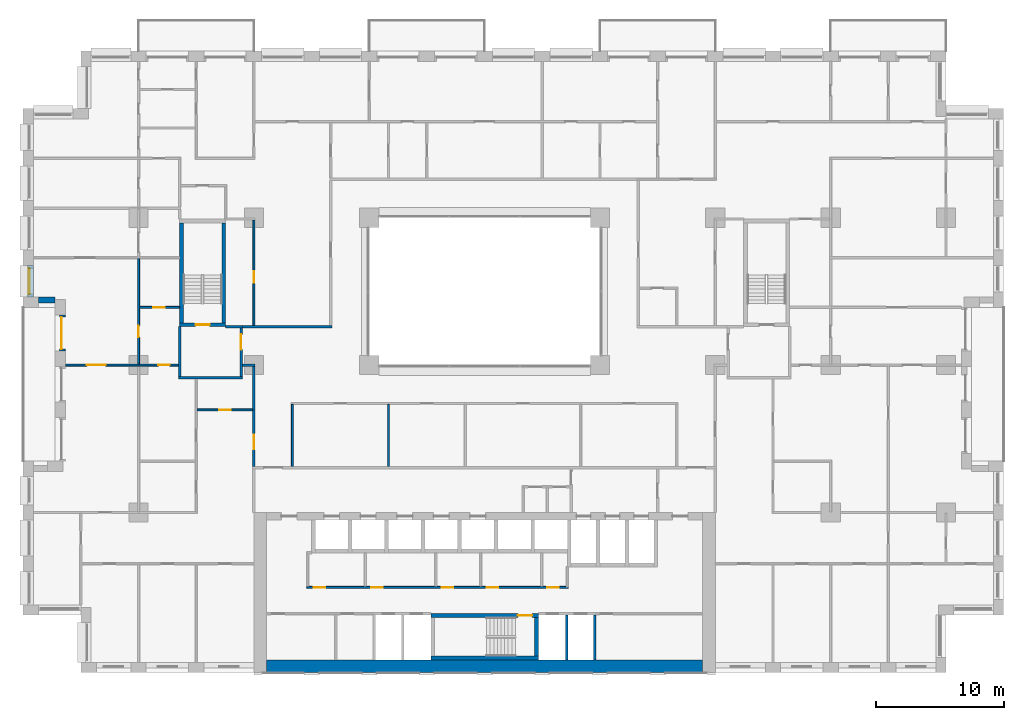
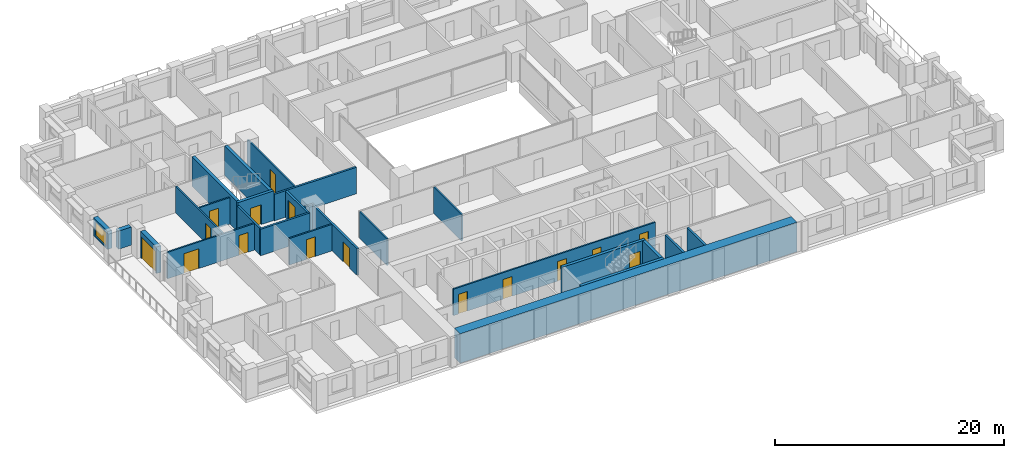
# One storey, part 10 of 19: 27 walls, 16 doors, 1 window, 17 openings.
"""IFC4 building model written with IfcOpenShell, lengths in metres."""

import ifcopenshell
import ifcopenshell.guid

model = None  # the IFC model being written
_history = None  # IfcOwnerHistory: only IFC2X3 demands one
_inside = {}  # id of a spatial element -> (the spatial element, [elements in it])
_under = {}  # id of a project, library or spatial element -> (it, [spatial elements below it])
_declared = {}  # id of a project -> (the project, [libraries it declares])
_typed = {}  # id of a type object -> (the type object, [elements of that type])
_made_of = {}  # id of a material, layer set ... -> (it, [elements and type objects made of it])


def new_model(schema):
    """Start an empty IFC model of exactly this schema.

    Asked for "IFC4X3", IfcOpenShell would pick the latest addendum, in which some entities
    have other attributes; the version numbers below select the first issue.
    IFC2X3 requires an IfcOwnerHistory on every rooted entity: one is made here for all.
    """
    global model, _history
    if schema == "IFC4X3":
        model = ifcopenshell.file(schema_version=(4, 3, 0, 0))
    else:
        model = ifcopenshell.file(schema=schema)
    _inside.clear()
    _under.clear()
    _declared.clear()
    _typed.clear()
    _made_of.clear()
    _history = None
    if model.schema == "IFC2X3":
        org = make("IfcOrganization", Name="unknown")
        user = make(
            "IfcPersonAndOrganization",
            ThePerson=make("IfcPerson", FamilyName="unknown"),
            TheOrganization=org,
        )
        app = make(
            "IfcApplication",
            ApplicationDeveloper=org,
            Version="unknown",
            ApplicationFullName="unknown",
            ApplicationIdentifier="unknown",
        )
        _history = make(
            "IfcOwnerHistory",
            OwningUser=user,
            OwningApplication=app,
            ChangeAction="ADDED",
            CreationDate=0,
        )
    return model


def make(cls, **values):
    """One entity of the class cls with the attributes given. An attribute that is None is left unset."""
    return model.create_entity(
        cls, **{name: value for name, value in values.items() if value is not None}
    )


def rooted(cls, **values):
    """An entity with a GlobalId (a new one), such as an element, a storey or a relation."""
    return make(cls, GlobalId=ifcopenshell.guid.new(), OwnerHistory=_history, **values)


def si_unit(unit_type, name, prefix=None):
    """IfcSIUnit, for example si_unit("LENGTHUNIT", "METRE", prefix="MILLI")."""
    return make("IfcSIUnit", UnitType=unit_type, Prefix=prefix, Name=name)


def assignment(units):
    """IfcUnitAssignment: the units of a project."""
    return None if units is None else make("IfcUnitAssignment", Units=units)


def point(xyz):
    """IfcCartesianPoint."""
    return None if xyz is None else make("IfcCartesianPoint", Coordinates=xyz)


def direction(xyz):
    """IfcDirection."""
    return None if xyz is None else make("IfcDirection", DirectionRatios=xyz)


def frame(location, z_axis=None, x_axis=None):
    """IfcAxis2Placement3D, a coordinate frame: its origin and axes. An axis left out is left unset."""
    return make(
        "IfcAxis2Placement3D",
        Location=point(location),
        Axis=direction(z_axis),
        RefDirection=direction(x_axis),
    )


def frame_2d(location, x_axis=None):
    """IfcAxis2Placement2D, a coordinate frame in the plane: its origin and x axis."""
    return make(
        "IfcAxis2Placement2D", Location=point(location), RefDirection=direction(x_axis)
    )


def origin():
    """The frame at (0, 0, 0) with its axes left unset."""
    return frame((0.0, 0.0, 0.0))


def place(relative_to, where):
    """IfcLocalPlacement: puts the frame where relative to a parent placement (None: the world)."""
    return make(
        "IfcLocalPlacement", PlacementRelTo=relative_to, RelativePlacement=where
    )


def context(
    kind, dimensions, precision=None, world=None, true_north=None, identifier=None
):
    """IfcGeometricRepresentationContext, for example the 3D "Model" context."""
    return make(
        "IfcGeometricRepresentationContext",
        ContextIdentifier=identifier,
        ContextType=kind,
        CoordinateSpaceDimension=dimensions,
        Precision=precision,
        WorldCoordinateSystem=world,
        TrueNorth=true_north,
    )


def subcontext(parent, identifier, kind, view, scale=None):
    """IfcGeometricRepresentationSubContext, for example "Body" below "Model"."""
    return make(
        "IfcGeometricRepresentationSubContext",
        ContextIdentifier=identifier,
        ContextType=kind,
        ParentContext=parent,
        TargetScale=scale,
        TargetView=view,
    )


def project(units=None, contexts=None):
    """IfcProject with its units and contexts."""
    return rooted(
        "IfcProject",
        Name="project",
        RepresentationContexts=contexts,
        UnitsInContext=assignment(units),
    )


def spatial(cls, under=None, at=None, **own):
    """A site, building, storey or space (cls), placed at a placement, below another one or the project."""
    s = rooted(cls, ObjectPlacement=at, **own)
    if under is not None:
        _under.setdefault(under.id(), (under, []))[1].append(s)
    return s


def profile(cls, at=None, kind="AREA", **sizes):
    """A parametric profile (cls). Its sizes go by their IFC names, for example OverallWidth=200.0."""
    return make(cls, ProfileType=kind, Position=at, **sizes)


def rectangle(**sizes):
    """IfcRectangleProfileDef."""
    return profile("IfcRectangleProfileDef", **sizes)


def extrude(swept, where, along, depth):
    """IfcExtrudedAreaSolid: the profile swept, set in the frame where, extruded along a direction by depth."""
    return make(
        "IfcExtrudedAreaSolid",
        SweptArea=swept,
        Position=where,
        ExtrudedDirection=direction(along),
        Depth=depth,
    )


def shape(context_of_items, identifier, shape_type, items):
    """IfcShapeRepresentation: the items that make up one representation, for example the "Body"."""
    return make(
        "IfcShapeRepresentation",
        ContextOfItems=context_of_items,
        RepresentationIdentifier=identifier,
        RepresentationType=shape_type,
        Items=items,
    )


def material(Name=None, Category=None):
    """IfcMaterial."""
    return make("IfcMaterial", Name=Name, Category=Category)


def layer(
    of_material, thickness, ventilated=None, Name=None, Category=None, Priority=None
):
    """IfcMaterialLayer: one layer of a wall or slab, of a material (None: an air gap)."""
    return make(
        "IfcMaterialLayer",
        Material=of_material,
        LayerThickness=thickness,
        IsVentilated=ventilated,
        Name=Name,
        Category=Category,
        Priority=Priority,
    )


def layer_set(layers, Name=None):
    """IfcMaterialLayerSet."""
    return make("IfcMaterialLayerSet", MaterialLayers=layers, LayerSetName=Name)


def made_of(thing, what):
    """Note that an element or type object is made of a material, layer set ...; save() writes the relation."""
    if what is not None:
        _made_of.setdefault(what.id(), (what, []))[1].append(thing)
    return thing


def type_object(cls, material=None, **own):
    """A type object (cls), such as IfcWallType, which elements share."""
    return made_of(rooted(cls, **own), material)


def element(
    cls,
    number,
    at=None,
    inside=None,
    cuts=None,
    type_object=None,
    material=None,
    context=None,
    identifier="Body",
    shape_type=None,
    held_by="IfcProductDefinitionShape",
    body=None,
    shapes=None,
    **own,
):
    """One element of the class cls, such as IfcWall. Its Tag is "e" and its number.

    at: its placement. inside: the storey or other place that contains it. cuts: it is an
    opening in that element (IfcRelVoidsElement). A single representation is given by context,
    identifier, shape_type and body (its items); several are given by shapes. held_by: the class
    of the entity that holds the representations. save() writes the other relations.
    """
    e = rooted(cls, Tag="e%d" % number, ObjectPlacement=at, **own)
    if body is not None:
        shapes = [shape(context, identifier, shape_type, body)]
    if shapes is not None:
        e.Representation = make(held_by, Representations=shapes)
    if inside is not None:
        _inside.setdefault(inside.id(), (inside, []))[1].append(e)
    if cuts is not None:
        rooted(
            "IfcRelVoidsElement", RelatingBuildingElement=cuts, RelatedOpeningElement=e
        )
    if type_object is not None:
        _typed.setdefault(type_object.id(), (type_object, []))[1].append(e)
    return made_of(e, material)


def fill(opening, filler):
    """IfcRelFillsElement: the door or window that sits in an opening."""
    return rooted(
        "IfcRelFillsElement",
        RelatingOpeningElement=opening,
        RelatedBuildingElement=filler,
    )


def aggregate(whole, parts):
    """IfcRelAggregates: a whole, such as a stair, and the parts it consists of."""
    return rooted("IfcRelAggregates", RelatingObject=whole, RelatedObjects=parts)


def save(model, path):
    """Write the relations noted so far, then the file.

    IfcRelAggregates (storeys below a building ...), IfcRelContainedInSpatialStructure (elements
    in a storey), IfcRelDefinesByType, IfcRelAssociatesMaterial and IfcRelDeclares: one each for
    every whole, place, type object, material and project.
    """
    for whole, parts in _under.values():
        aggregate(whole, parts)
    for where, things in _inside.values():
        rooted(
            "IfcRelContainedInSpatialStructure",
            RelatedElements=things,
            RelatingStructure=where,
        )
    for kind, things in _typed.values():
        rooted("IfcRelDefinesByType", RelatedObjects=things, RelatingType=kind)
    for what, things in _made_of.values():
        rooted("IfcRelAssociatesMaterial", RelatedObjects=things, RelatingMaterial=what)
    for by, libraries in _declared.values():
        rooted("IfcRelDeclares", RelatingContext=by, RelatedDefinitions=libraries)
    model.write(path)


model = new_model("IFC4")

# Units and contexts
model_context = context("Model", 3, precision=1e-05, world=origin(), true_north=direction((0.0, 1.0)))
body_context = subcontext(model_context, "Body", "Model", "MODEL_VIEW")
ifc_project = project(units=[si_unit("LENGTHUNIT", "METRE"), si_unit("AREAUNIT", "SQUARE_METRE"), si_unit("VOLUMEUNIT", "CUBIC_METRE"), si_unit("PLANEANGLEUNIT", "RADIAN"), si_unit("MASSUNIT", "GRAM", prefix="KILO")], contexts=[model_context])

# Site, building, storey
site_placement = place(None, origin())
site = spatial("IfcSite", under=ifc_project, at=site_placement, CompositionType="ELEMENT")
building_placement = place(site_placement, origin())
building = spatial("IfcBuilding", under=site, at=building_placement, Name="Brigalow Station Residences", CompositionType="ELEMENT")
storey_placement = place(building_placement, frame((0.0, 0.0, 35.25)))
storey = spatial("IfcBuildingStorey", under=building, at=storey_placement, Name="L09", CompositionType="ELEMENT", Elevation=35.25)

# Wall, opening, window
ifc_material_1 = material(Name="Clay brick masonry", Category="masonry")
ifc_layer_1 = layer(ifc_material_1, 0.449951171875)
ifc_layer_set_1 = layer_set([ifc_layer_1], Name="BRICK INFILL WALL 450")
wall_type_1 = type_object("IfcWallType", Name="BRICK INFILL WALL 450", PredefinedType="SOLIDWALL", material=ifc_layer_set_1)
wall_1_placement = place(storey_placement, frame((0.574951171875, 31.77490234375, 0.89990234375), z_axis=(0.0, 0.0, 1.0), x_axis=(0.0, -1.0, 0.0)))
wall_1 = element("IfcWall", 1, at=wall_1_placement, inside=storey, type_object=wall_type_1, Name="L09/ewall/W-L09-45", PredefinedType="SOLIDWALL", context=body_context, shape_type="SweptSolid", body=[
    extrude(rectangle(XDim=2.474853515625, YDim=0.449951171875, at=frame_2d((1.2373046875, 0.0))), origin(), (0.0, 0.0, 1.0), 1.93017578125),
])
opening_1_placement = place(wall_1_placement, frame((0.237548828125, 0.0, 0.14990234375)))
opening_1 = element("IfcOpeningElement", 2, at=opening_1_placement, cuts=wall_1, Name="Opening WT-7", PredefinedType="OPENING", context=body_context, shape_type="SweptSolid", body=[
    extrude(rectangle(XDim=2.0, YDim=1.5, at=frame_2d((1.0, 0.75))), frame((0.0, 0.23486328125, 0.0), z_axis=(0.0, -1.0, 0.0), x_axis=(1.0, 0.0, 0.0)), (0.0, 0.0, 1.0), 0.469970703125),
])
ifc_material_2 = material(Name="Anodised aluminium frame with double glazing", Category="aluminium")
window_type = type_object("IfcWindowType", Name="WINDOW 2000x1500", PartitioningType="SINGLE_PANEL", PredefinedType="WINDOW", material=ifc_material_2)
window_placement = place(opening_1_placement, origin())
window = element("IfcWindow", 3, at=window_placement, inside=storey, type_object=window_type, Name="L09/window/W-L09-45", OverallHeight=1.5, OverallWidth=2.0, PartitioningType="SINGLE_PANEL", PredefinedType="WINDOW", context=body_context, shape_type="SweptSolid", body=[
    extrude(rectangle(XDim=2.0, YDim=1.5, at=frame_2d((1.0, 0.75))), frame((0.0, -0.06494140625, 0.0), z_axis=(0.0, -1.0, 0.0), x_axis=(1.0, 0.0, 0.0)), (0.0, 0.0, 1.0), 0.06005859375),
])
fill(opening_1, window)

# Wall
wall_2_placement = place(storey_placement, frame((1.199951171875, 29.074951171875, 0.89990234375), z_axis=(0.0, 0.0, 1.0), x_axis=(1.0, 0.0, 0.0)))
element("IfcWall", 4, at=wall_2_placement, inside=storey, type_object=wall_type_1, Name="L09/ewall/W-L09-46", PredefinedType="SOLIDWALL", context=body_context, shape_type="SweptSolid", body=[
    extrude(rectangle(XDim=1.300048828125, YDim=0.449951171875, at=frame_2d((0.64990234375, 0.0))), origin(), (0.0, 0.0, 1.0), 1.93017578125),
])

# Wall, opening, door
wall_3_placement = place(storey_placement, frame((3.074951171875, 27.89990234375, 0.0), z_axis=(0.0, 0.0, 1.0), x_axis=(0.0, -1.0, 0.0)))
wall_3 = element("IfcWall", 5, at=wall_3_placement, inside=storey, type_object=wall_type_1, Name="L09/ewall/W-L09-47", PredefinedType="SOLIDWALL", context=body_context, shape_type="SweptSolid", body=[
    extrude(rectangle(XDim=2.7998046875, YDim=0.449951171875, at=frame_2d((1.39990234375, 0.0))), origin(), (0.0, 0.0, 1.0), 2.830078125),
])
opening_2_placement = place(wall_3_placement, frame((0.14990234375, 0.0, 0.0)))
opening_2 = element("IfcOpeningElement", 6, at=opening_2_placement, cuts=wall_3, Name="Opening D-B2500", PredefinedType="OPENING", context=body_context, shape_type="SweptSolid", body=[
    extrude(rectangle(XDim=2.5, YDim=2.300048828125, at=frame_2d((1.25, 1.14990234375))), frame((0.0, 0.23486328125, 0.0), z_axis=(0.0, -1.0, 0.0), x_axis=(1.0, 0.0, 0.0)), (0.0, 0.0, 1.0), 0.469970703125),
])
ifc_material_3 = material(Name="Anodised aluminium frame with double glazing", Category="aluminium")
door_type_1 = type_object("IfcDoorType", Name="BALCONY SLIDING DOOR 2500x2300", OperationType="SLIDING_TO_LEFT", PredefinedType="DOOR", material=ifc_material_3)
door_1_placement = place(opening_2_placement, origin())
door_1 = element("IfcDoor", 7, at=door_1_placement, inside=storey, type_object=door_type_1, Name="L09/balcony-door/W-L09-47", OperationType="SLIDING_TO_LEFT", OverallHeight=2.300048828125, OverallWidth=2.5, PredefinedType="DOOR", context=body_context, shape_type="SweptSolid", body=[
    extrude(rectangle(XDim=2.5, YDim=2.300048828125, at=frame_2d((1.25, 1.14990234375))), frame((0.0, -0.06982421875, 0.0), z_axis=(0.0, -1.0, 0.0), x_axis=(1.0, 0.0, 0.0)), (0.0, 0.0, 1.0), 0.050048828125),
])
fill(opening_2, door_1)

# Walls
ifc_material_4 = material(Name="Concrete C80", Category="concrete")
ifc_layer_2 = layer(ifc_material_4, 1.0)
ifc_layer_set_2 = layer_set([ifc_layer_2], Name="CORE SHEAR WALL 1000 C80")
wall_type_2 = type_object("IfcWallType", Name="CORE SHEAR WALL 1000 C80", PredefinedType="SHEAR", material=ifc_layer_set_2)
wall_4_placement = place(storey_placement, frame((19.0, 0.5, 0.0), z_axis=(0.0, 0.0, 1.0), x_axis=(1.0, 0.0, 0.0)))
element("IfcWall", 8, at=wall_4_placement, inside=storey, type_object=wall_type_2, Name="CORE WALL OUT-S L09", PredefinedType="SHEAR", context=body_context, shape_type="SweptSolid", body=[
    extrude(rectangle(XDim=34.0, YDim=1.0, at=frame_2d((17.0, 0.0))), origin(), (0.0, 0.0, 1.0), 3.14990234375),
])
ifc_material_5 = material(Name="Concrete C80", Category="concrete")
ifc_layer_3 = layer(ifc_material_5, 0.300048828125)
ifc_layer_set_3 = layer_set([ifc_layer_3], Name="CORE SHEAR WALL 300 C80")
wall_type_3 = type_object("IfcWallType", Name="CORE SHEAR WALL 300 C80", PredefinedType="SHEAR", material=ifc_layer_set_3)
wall_5_placement = place(storey_placement, frame((31.800048828125, 1.14990234375, 0.0), z_axis=(0.0, 0.0, 1.0), x_axis=(1.0, 0.0, 0.0)))
element("IfcWall", 9, at=wall_5_placement, inside=storey, type_object=wall_type_3, Name="CORE WALL ST-S2-S L09", PredefinedType="SHEAR", context=body_context, shape_type="SweptSolid", body=[
    extrude(rectangle(XDim=8.39990234375, YDim=0.300048828125, at=frame_2d((4.199951171875, 0.0))), origin(), (0.0, 0.0, 1.0), 3.14990234375),
])

# Wall, opening, door
wall_6_placement = place(storey_placement, frame((31.800048828125, 4.449951171875, 0.0), z_axis=(0.0, 0.0, 1.0), x_axis=(1.0, 0.0, 0.0)))
wall_6 = element("IfcWall", 10, at=wall_6_placement, inside=storey, type_object=wall_type_3, Name="CORE WALL ST-S2-N L09", PredefinedType="SHEAR", context=body_context, shape_type="SweptSolid", body=[
    extrude(rectangle(XDim=8.39990234375, YDim=0.300048828125, at=frame_2d((4.199951171875, 0.0))), origin(), (0.0, 0.0, 1.0), 3.14990234375),
])
opening_3_placement = place(wall_6_placement, frame((6.800048828125, 0.0, 0.0)))
opening_3 = element("IfcOpeningElement", 11, at=opening_3_placement, cuts=wall_6, Name="Opening D-5001", PredefinedType="OPENING", context=body_context, shape_type="SweptSolid", body=[
    extrude(rectangle(XDim=1.10009765625, YDim=2.10009765625, at=frame_2d((0.550048828125, 1.050048828125))), frame((0.0, 0.16015625, 0.0), z_axis=(0.0, -1.0, 0.0), x_axis=(1.0, 0.0, 0.0)), (0.0, 0.0, 1.0), 0.320068359375),
])
ifc_material_6 = material(Name="Steel fire door leaf in steel frame", Category="steel")
door_type_2 = type_object("IfcDoorType", Name="STAIR DOOR 1100 x 2100 FD60S", OperationType="SINGLE_SWING_LEFT", PredefinedType="DOOR", material=ifc_material_6)
door_2_placement = place(opening_3_placement, frame((1.10009765625, 0.0, 0.0), z_axis=(0.0, 0.0, 1.0), x_axis=(-1.0, 0.0, 0.0)))
door_2 = element("IfcDoor", 12, at=door_2_placement, inside=storey, type_object=door_type_2, Name="D-5001", OperationType="SINGLE_SWING_LEFT", OverallHeight=2.10009765625, OverallWidth=1.10009765625, PredefinedType="DOOR", context=body_context, shape_type="SweptSolid", body=[
    extrude(rectangle(XDim=1.10009765625, YDim=2.10009765625, at=frame_2d((0.550048828125, 1.050048828125))), frame((0.0, 0.02490234375, 0.0), z_axis=(0.0, -1.0, 0.0), x_axis=(1.0, 0.0, 0.0)), (0.0, 0.0, 1.0), 0.050048828125),
])
fill(opening_3, door_2)

# Wall
wall_7_placement = place(storey_placement, frame((40.050048828125, 1.300048828125, 0.0), z_axis=(0.0, 0.0, 1.0), x_axis=(0.0, 1.0, 0.0)))
element("IfcWall", 13, at=wall_7_placement, inside=storey, type_object=wall_type_3, Name="CORE WALL ST-S2-E L09", PredefinedType="SHEAR", context=body_context, shape_type="SweptSolid", body=[
    extrude(rectangle(XDim=3.0, YDim=0.300048828125, at=frame_2d((1.5, 0.0))), origin(), (0.0, 0.0, 1.0), 3.14990234375),
])

# Wall, opening, door
wall_8_placement = place(storey_placement, frame((12.199951171875, 27.14990234375, 0.0), z_axis=(0.0, 0.0, 1.0), x_axis=(1.0, 0.0, 0.0)))
wall_8 = element("IfcWall", 14, at=wall_8_placement, inside=storey, type_object=wall_type_3, Name="CORE WALL ST-S1-S L09", PredefinedType="SHEAR", context=body_context, shape_type="SweptSolid", body=[
    extrude(rectangle(XDim=3.60009765625, YDim=0.300048828125, at=frame_2d((1.800048828125, 0.0))), origin(), (0.0, 0.0, 1.0), 3.14990234375),
])
opening_4_placement = place(wall_8_placement, frame((1.25, 0.0, 0.0)))
opening_4 = element("IfcOpeningElement", 15, at=opening_4_placement, cuts=wall_8, Name="Opening D-5015", PredefinedType="OPENING", context=body_context, shape_type="SweptSolid", body=[
    extrude(rectangle(XDim=1.10009765625, YDim=2.10009765625, at=frame_2d((0.550048828125, 1.050048828125))), frame((0.0, 0.16015625, 0.0), z_axis=(0.0, -1.0, 0.0), x_axis=(1.0, 0.0, 0.0)), (0.0, 0.0, 1.0), 0.320068359375),
])
door_3_placement = place(opening_4_placement, origin())
door_3 = element("IfcDoor", 16, at=door_3_placement, inside=storey, type_object=door_type_2, Name="D-5015", OperationType="SINGLE_SWING_LEFT", OverallHeight=2.10009765625, OverallWidth=1.10009765625, PredefinedType="DOOR", context=body_context, shape_type="SweptSolid", body=[
    extrude(rectangle(XDim=1.10009765625, YDim=2.10009765625, at=frame_2d((0.550048828125, 1.050048828125))), frame((0.0, 0.02490234375, 0.0), z_axis=(0.0, -1.0, 0.0), x_axis=(1.0, 0.0, 0.0)), (0.0, 0.0, 1.0), 0.050048828125),
])
fill(opening_4, door_3)

# Walls
for number, where, z_axis, x_axis, name in (
    (17, (12.35009765625, 27.300048828125, 0.0), (0.0, 0.0, 1.0), (0.0, 1.0, 0.0), "CORE WALL ST-S1-W L09"),
    (18, (15.64990234375, 27.300048828125, 0.0), (0.0, 0.0, 1.0), (0.0, 1.0, 0.0), "CORE WALL ST-S1-E L09"),
):
    element("IfcWall", number, at=place(storey_placement, frame(where, z_axis=z_axis, x_axis=x_axis)), inside=storey, type_object=wall_type_3, Name=name, PredefinedType="SHEAR", context=body_context, shape_type="SweptSolid", body=[
        extrude(rectangle(XDim=7.800048828125, YDim=0.300048828125, at=frame_2d((3.89990234375, 0.0))), origin(), (0.0, 0.0, 1.0), 3.14990234375),
    ])
ifc_material_7 = material(Name="Concrete blockwork", Category="masonry")
ifc_layer_4 = layer(ifc_material_7, 0.199951171875)
ifc_layer_set_4 = layer_set([ifc_layer_4], Name="FIRE RATED CORE PARTITION 200")
wall_type_4 = type_object("IfcWallType", Name="FIRE RATED CORE PARTITION 200", PredefinedType="PARTITIONING", material=ifc_layer_set_4)
wall_9_placement = place(storey_placement, frame((12.10009765625, 23.0, 0.0), z_axis=(0.0, 0.0, 1.0), x_axis=(1.0, 0.0, 0.0)))
element("IfcWall", 19, at=wall_9_placement, inside=storey, type_object=wall_type_4, Name="PW-5023", PredefinedType="PARTITIONING", context=body_context, shape_type="SweptSolid", body=[
    extrude(rectangle(XDim=5.0, YDim=0.199951171875, at=frame_2d((2.5, 0.0))), origin(), (0.0, 0.0, 1.0), 2.830078125),
])
wall_10_placement = place(storey_placement, frame((15.800048828125, 27.0, 0.0), z_axis=(0.0, 0.0, 1.0), x_axis=(1.0, 0.0, 0.0)))
element("IfcWall", 20, at=wall_10_placement, inside=storey, type_object=wall_type_4, Name="PW-5025", PredefinedType="PARTITIONING", context=body_context, shape_type="SweptSolid", body=[
    extrude(rectangle(XDim=1.300048828125, YDim=0.199951171875, at=frame_2d((0.64990234375, 0.0))), origin(), (0.0, 0.0, 1.0), 2.830078125),
])
for number, where, z_axis, x_axis, name in (
    (21, (42.39990234375, 1.0, 0.0), (0.0, 0.0, 1.0), (0.0, 1.0, 0.0), "PW-5007"),
    (22, (44.60009765625, 1.0, 0.0), (0.0, 0.0, 1.0), (0.0, 1.0, 0.0), "PW-5008"),
):
    element("IfcWall", number, at=place(storey_placement, frame(where, z_axis=z_axis, x_axis=x_axis)), inside=storey, type_object=wall_type_4, Name=name, PredefinedType="PARTITIONING", context=body_context, shape_type="SweptSolid", body=[
        extrude(rectangle(XDim=3.5, YDim=0.199951171875, at=frame_2d((1.75, 0.0))), origin(), (0.0, 0.0, 1.0), 2.830078125),
    ])
wall_11_placement = place(storey_placement, frame((12.199951171875, 23.10009765625, 0.0), z_axis=(0.0, 0.0, 1.0), x_axis=(0.0, 1.0, 0.0)))
element("IfcWall", 23, at=wall_11_placement, inside=storey, type_object=wall_type_4, Name="PW-5034", PredefinedType="PARTITIONING", context=body_context, shape_type="SweptSolid", body=[
    extrude(rectangle(XDim=3.89990234375, YDim=0.199951171875, at=frame_2d((1.949951171875, 0.0))), origin(), (0.0, 0.0, 1.0), 2.830078125),
])

# Wall, opening, door
wall_12_placement = place(storey_placement, frame((17.0, 23.10009765625, 0.0), z_axis=(0.0, 0.0, 1.0), x_axis=(0.0, 1.0, 0.0)))
wall_12 = element("IfcWall", 24, at=wall_12_placement, inside=storey, type_object=wall_type_4, Name="PW-5035", PredefinedType="PARTITIONING", context=body_context, shape_type="SweptSolid", body=[
    extrude(rectangle(XDim=3.7998046875, YDim=0.199951171875, at=frame_2d((1.89990234375, 0.0))), origin(), (0.0, 0.0, 1.0), 2.830078125),
])
opening_5_placement = place(wall_12_placement, frame((2.10009765625, 0.0, 0.0)))
opening_5 = element("IfcOpeningElement", 25, at=opening_5_placement, cuts=wall_12, Name="Opening D-5016", PredefinedType="OPENING", context=body_context, shape_type="SweptSolid", body=[
    extrude(rectangle(XDim=1.199951171875, YDim=2.10009765625, at=frame_2d((0.60009765625, 1.050048828125))), frame((0.0, 0.10986328125, 0.0), z_axis=(0.0, -1.0, 0.0), x_axis=(1.0, 0.0, 0.0)), (0.0, 0.0, 1.0), 0.219970703125),
])
ifc_material_8 = material(Name="Steel fire door leaf in steel frame", Category="steel")
door_type_3 = type_object("IfcDoorType", Name="STAIR LOBBY DOOR 1200 x 2100 FD60S", OperationType="SINGLE_SWING_LEFT", PredefinedType="DOOR", material=ifc_material_8)
door_4_placement = place(opening_5_placement, origin())
door_4 = element("IfcDoor", 26, at=door_4_placement, inside=storey, type_object=door_type_3, Name="D-5016", OperationType="SINGLE_SWING_RIGHT", OverallHeight=2.10009765625, OverallWidth=1.199951171875, PredefinedType="DOOR", context=body_context, shape_type="SweptSolid", body=[
    extrude(rectangle(XDim=1.199951171875, YDim=2.10009765625, at=frame_2d((0.60009765625, 1.050048828125))), frame((0.0, 0.02490234375, 0.0), z_axis=(0.0, -1.0, 0.0), x_axis=(1.0, 0.0, 0.0)), (0.0, 0.0, 1.0), 0.050048828125),
])
fill(opening_5, door_4)

# Wall, openings, doors
ifc_material_9 = material(Name="Plasterboard on steel stud partition", Category="steel")
ifc_layer_5 = layer(ifc_material_9, 0.14990234375)
ifc_layer_set_5 = layer_set([ifc_layer_5], Name="FLAT PARTITION 150")
wall_type_5 = type_object("IfcWallType", Name="FLAT PARTITION 150", PredefinedType="PARTITIONING", material=ifc_layer_set_5)
wall_13_placement = place(storey_placement, frame((3.300048828125, 24.0, 0.0), z_axis=(0.0, 0.0, 1.0), x_axis=(1.0, 0.0, 0.0)))
wall_13 = element("IfcWall", 27, at=wall_13_placement, inside=storey, type_object=wall_type_5, Name="PW-1B02", PredefinedType="PARTITIONING", context=body_context, shape_type="SweptSolid", body=[
    extrude(rectangle(XDim=8.800048828125, YDim=0.14990234375, at=frame_2d((4.39990234375, 0.0))), origin(), (0.0, 0.0, 1.0), 2.830078125),
])
opening_6_placement = place(wall_13_placement, frame((1.64990234375, 0.0, 0.0)))
opening_6 = element("IfcOpeningElement", 28, at=opening_6_placement, cuts=wall_13, Name="Opening D-1B07", PredefinedType="OPENING", context=body_context, shape_type="SweptSolid", body=[
    extrude(rectangle(XDim=1.5, YDim=2.10009765625, at=frame_2d((0.75, 1.050048828125))), frame((0.0, 0.0849609375, 0.0), z_axis=(0.0, -1.0, 0.0), x_axis=(1.0, 0.0, 0.0)), (0.0, 0.0, 1.0), 0.169921875),
])
opening_7_placement = place(wall_13_placement, frame((7.22509765625, 0.0, 0.0)))
opening_7 = element("IfcOpeningElement", 29, at=opening_7_placement, cuts=wall_13, Name="Opening D-1B14", PredefinedType="OPENING", context=body_context, shape_type="SweptSolid", body=[
    extrude(rectangle(XDim=0.89990234375, YDim=2.10009765625, at=frame_2d((0.449951171875, 1.050048828125))), frame((0.0, 0.0849609375, 0.0), z_axis=(0.0, -1.0, 0.0), x_axis=(1.0, 0.0, 0.0)), (0.0, 0.0, 1.0), 0.169921875),
])
ifc_material_10 = material(Name="Solid-core timber door leaf", Category="wood")
door_type_4 = type_object("IfcDoorType", Name="INTERNAL DOOR 900 x 2100", OperationType="SINGLE_SWING_LEFT", PredefinedType="DOOR", material=ifc_material_10)
door_5_placement = place(opening_7_placement, origin())
door_5 = element("IfcDoor", 30, at=door_5_placement, inside=storey, type_object=door_type_4, Name="D-1B14", OperationType="SINGLE_SWING_RIGHT", OverallHeight=2.10009765625, OverallWidth=0.89990234375, PredefinedType="DOOR", context=body_context, shape_type="SweptSolid", body=[
    extrude(rectangle(XDim=0.89990234375, YDim=2.10009765625, at=frame_2d((0.449951171875, 1.050048828125))), frame((0.0, 0.02490234375, 0.0), z_axis=(0.0, -1.0, 0.0), x_axis=(1.0, 0.0, 0.0)), (0.0, 0.0, 1.0), 0.050048828125),
])
fill(opening_7, door_5)
ifc_material_11 = material(Name="Solid-core timber door leaf", Category="wood")
door_type_5 = type_object("IfcDoorType", Name="INTERNAL DOUBLE DOOR 1500 x 2100", OperationType="DOUBLE_DOOR_SINGLE_SWING", PredefinedType="DOOR", material=ifc_material_11)
door_6_placement = place(opening_6_placement, origin())
door_6 = element("IfcDoor", 31, at=door_6_placement, inside=storey, type_object=door_type_5, Name="D-1B07", OperationType="DOUBLE_DOOR_SINGLE_SWING", OverallHeight=2.10009765625, OverallWidth=1.5, PredefinedType="DOOR", context=body_context, shape_type="SweptSolid", body=[
    extrude(rectangle(XDim=1.5, YDim=2.10009765625, at=frame_2d((0.75, 1.050048828125))), frame((0.0, 0.02490234375, 0.0), z_axis=(0.0, -1.0, 0.0), x_axis=(1.0, 0.0, 0.0)), (0.0, 0.0, 1.0), 0.050048828125),
])
fill(opening_6, door_6)

# Wall, opening, door
wall_14_placement = place(storey_placement, frame((13.574951171875, 20.5, 0.0), z_axis=(0.0, 0.0, 1.0), x_axis=(1.0, 0.0, 0.0)))
wall_14 = element("IfcWall", 32, at=wall_14_placement, inside=storey, type_object=wall_type_5, Name="PW-1B14", PredefinedType="PARTITIONING", context=body_context, shape_type="SweptSolid", body=[
    extrude(rectangle(XDim=4.324951171875, YDim=0.14990234375, at=frame_2d((2.16259765625, 0.0))), origin(), (0.0, 0.0, 1.0), 2.830078125),
])
opening_8_placement = place(wall_14_placement, frame((1.72509765625, 0.0, 0.0)))
opening_8 = element("IfcOpeningElement", 33, at=opening_8_placement, cuts=wall_14, Name="Opening D-1B13", PredefinedType="OPENING", context=body_context, shape_type="SweptSolid", body=[
    extrude(rectangle(XDim=0.89990234375, YDim=2.10009765625, at=frame_2d((0.449951171875, 1.050048828125))), frame((0.0, 0.0849609375, 0.0), z_axis=(0.0, -1.0, 0.0), x_axis=(1.0, 0.0, 0.0)), (0.0, 0.0, 1.0), 0.169921875),
])
door_7_placement = place(opening_8_placement, origin())
door_7 = element("IfcDoor", 34, at=door_7_placement, inside=storey, type_object=door_type_4, Name="D-1B13", OperationType="SINGLE_SWING_RIGHT", OverallHeight=2.10009765625, OverallWidth=0.89990234375, PredefinedType="DOOR", context=body_context, shape_type="SweptSolid", body=[
    extrude(rectangle(XDim=0.89990234375, YDim=2.10009765625, at=frame_2d((0.449951171875, 1.050048828125))), frame((0.0, 0.02490234375, 0.0), z_axis=(0.0, -1.0, 0.0), x_axis=(1.0, 0.0, 0.0)), (0.0, 0.0, 1.0), 0.050048828125),
])
fill(opening_8, door_7)

wall_15_placement = place(storey_placement, frame((9.074951171875, 28.5, 0.0), z_axis=(0.0, 0.0, 1.0), x_axis=(1.0, 0.0, 0.0)))
wall_15 = element("IfcWall", 35, at=wall_15_placement, inside=storey, type_object=wall_type_5, Name="PW-1B19", PredefinedType="PARTITIONING", context=body_context, shape_type="SweptSolid", body=[
    extrude(rectangle(XDim=3.125, YDim=0.14990234375, at=frame_2d((1.5625, 0.0))), origin(), (0.0, 0.0, 1.0), 2.830078125),
])
opening_9_placement = place(wall_15_placement, frame((1.074951171875, 0.0, 0.0)))
opening_9 = element("IfcOpeningElement", 36, at=opening_9_placement, cuts=wall_15, Name="Opening D-1B15", PredefinedType="OPENING", context=body_context, shape_type="SweptSolid", body=[
    extrude(rectangle(XDim=0.89990234375, YDim=2.10009765625, at=frame_2d((0.449951171875, 1.050048828125))), frame((0.0, 0.0849609375, 0.0), z_axis=(0.0, -1.0, 0.0), x_axis=(1.0, 0.0, 0.0)), (0.0, 0.0, 1.0), 0.169921875),
])
door_8_placement = place(opening_9_placement, origin())
door_8 = element("IfcDoor", 37, at=door_8_placement, inside=storey, type_object=door_type_4, Name="D-1B15", OperationType="SINGLE_SWING_LEFT", OverallHeight=2.10009765625, OverallWidth=0.89990234375, PredefinedType="DOOR", context=body_context, shape_type="SweptSolid", body=[
    extrude(rectangle(XDim=0.89990234375, YDim=2.10009765625, at=frame_2d((0.449951171875, 1.050048828125))), frame((0.0, 0.02490234375, 0.0), z_axis=(0.0, -1.0, 0.0), x_axis=(1.0, 0.0, 0.0)), (0.0, 0.0, 1.0), 0.050048828125),
])
fill(opening_9, door_8)

wall_16_placement = place(storey_placement, frame((18.0, 27.10009765625, 0.0), z_axis=(0.0, 0.0, 1.0), x_axis=(0.0, 1.0, 0.0)))
wall_16 = element("IfcWall", 38, at=wall_16_placement, inside=storey, type_object=wall_type_5, Name="PW-1B37", PredefinedType="PARTITIONING", context=body_context, shape_type="SweptSolid", body=[
    extrude(rectangle(XDim=8.224853515625, YDim=0.14990234375, at=frame_2d((4.1123046875, 0.0))), origin(), (0.0, 0.0, 1.0), 2.830078125),
])
opening_10_placement = place(wall_16_placement, frame((3.324951171875, 0.0, 0.0)))
opening_10 = element("IfcOpeningElement", 39, at=opening_10_placement, cuts=wall_16, Name="Opening D-1B29", PredefinedType="OPENING", context=body_context, shape_type="SweptSolid", body=[
    extrude(rectangle(XDim=0.89990234375, YDim=2.10009765625, at=frame_2d((0.449951171875, 1.050048828125))), frame((0.0, 0.0849609375, 0.0), z_axis=(0.0, -1.0, 0.0), x_axis=(1.0, 0.0, 0.0)), (0.0, 0.0, 1.0), 0.169921875),
])
door_9_placement = place(opening_10_placement, origin())
door_9 = element("IfcDoor", 40, at=door_9_placement, inside=storey, type_object=door_type_4, Name="D-1B29", OperationType="SINGLE_SWING_LEFT", OverallHeight=2.10009765625, OverallWidth=0.89990234375, PredefinedType="DOOR", context=body_context, shape_type="SweptSolid", body=[
    extrude(rectangle(XDim=0.89990234375, YDim=2.10009765625, at=frame_2d((0.449951171875, 1.050048828125))), frame((0.0, 0.02490234375, 0.0), z_axis=(0.0, -1.0, 0.0), x_axis=(1.0, 0.0, 0.0)), (0.0, 0.0, 1.0), 0.050048828125),
])
fill(opening_10, door_9)

# Wall
wall_17_placement = place(storey_placement, frame((21.0, 16.10009765625, 0.0), z_axis=(0.0, 0.0, 1.0), x_axis=(0.0, 1.0, 0.0)))
element("IfcWall", 41, at=wall_17_placement, inside=storey, type_object=wall_type_5, Name="PW-1B43", PredefinedType="PARTITIONING", context=body_context, shape_type="SweptSolid", body=[
    extrude(rectangle(XDim=4.824951171875, YDim=0.14990234375, at=frame_2d((2.41259765625, 0.0))), origin(), (0.0, 0.0, 1.0), 2.830078125),
])

# Wall, opening, door
wall_18_placement = place(storey_placement, frame((9.0, 24.074951171875, 0.0), z_axis=(0.0, 0.0, 1.0), x_axis=(0.0, 1.0, 0.0)))
wall_18 = element("IfcWall", 42, at=wall_18_placement, inside=storey, type_object=wall_type_5, Name="PW-1B52", PredefinedType="PARTITIONING", context=body_context, shape_type="SweptSolid", body=[
    extrude(rectangle(XDim=8.22509765625, YDim=0.14990234375, at=frame_2d((4.112548828125, 0.0))), origin(), (0.0, 0.0, 1.0), 2.830078125),
])
opening_11_placement = place(wall_18_placement, frame((2.10009765625, 0.0, 0.0)))
opening_11 = element("IfcOpeningElement", 43, at=opening_11_placement, cuts=wall_18, Name="Opening D-1B08", PredefinedType="OPENING", context=body_context, shape_type="SweptSolid", body=[
    extrude(rectangle(XDim=0.89990234375, YDim=2.10009765625, at=frame_2d((0.449951171875, 1.050048828125))), frame((0.0, 0.0849609375, 0.0), z_axis=(0.0, -1.0, 0.0), x_axis=(1.0, 0.0, 0.0)), (0.0, 0.0, 1.0), 0.169921875),
])
door_10_placement = place(opening_11_placement, frame((0.89990234375, 0.0, 0.0), z_axis=(0.0, 0.0, 1.0), x_axis=(-1.0, 0.0, 0.0)))
door_10 = element("IfcDoor", 44, at=door_10_placement, inside=storey, type_object=door_type_4, Name="D-1B08", OperationType="SINGLE_SWING_LEFT", OverallHeight=2.10009765625, OverallWidth=0.89990234375, PredefinedType="DOOR", context=body_context, shape_type="SweptSolid", body=[
    extrude(rectangle(XDim=0.89990234375, YDim=2.10009765625, at=frame_2d((0.449951171875, 1.050048828125))), frame((0.0, 0.02490234375, 0.0), z_axis=(0.0, -1.0, 0.0), x_axis=(1.0, 0.0, 0.0)), (0.0, 0.0, 1.0), 0.050048828125),
])
fill(opening_11, door_10)

# Walls
wall_19_placement = place(storey_placement, frame((28.5, 16.10009765625, 0.0), z_axis=(0.0, 0.0, 1.0), x_axis=(0.0, 1.0, 0.0)))
element("IfcWall", 45, at=wall_19_placement, inside=storey, type_object=wall_type_5, Name="PW-1B63", PredefinedType="PARTITIONING", context=body_context, shape_type="SweptSolid", body=[
    extrude(rectangle(XDim=4.824951171875, YDim=0.14990234375, at=frame_2d((2.41259765625, 0.0))), origin(), (0.0, 0.0, 1.0), 2.830078125),
])
ifc_material_12 = material(Name="Plasterboard on steel stud partition", Category="steel")
ifc_layer_6 = layer(ifc_material_12, 0.199951171875)
ifc_layer_set_6 = layer_set([ifc_layer_6], Name="PARTY AND CORRIDOR WALL 200")
wall_type_6 = type_object("IfcWallType", Name="PARTY AND CORRIDOR WALL 200", PredefinedType="PARTITIONING", material=ifc_layer_set_6)
wall_20_placement = place(storey_placement, frame((17.10009765625, 24.0, 0.0), z_axis=(0.0, 0.0, 1.0), x_axis=(1.0, 0.0, 0.0)))
element("IfcWall", 46, at=wall_20_placement, inside=storey, type_object=wall_type_6, Name="PW-1B04", PredefinedType="PARTITIONING", context=body_context, shape_type="SweptSolid", body=[
    extrude(rectangle(XDim=1.0, YDim=0.199951171875, at=frame_2d((0.5, 0.0))), origin(), (0.0, 0.0, 1.0), 2.830078125),
])
wall_21_placement = place(storey_placement, frame((17.10009765625, 27.0, 0.0), z_axis=(0.0, 0.0, 1.0), x_axis=(1.0, 0.0, 0.0)))
element("IfcWall", 47, at=wall_21_placement, inside=storey, type_object=wall_type_6, Name="PW-1B06", PredefinedType="PARTITIONING", context=body_context, shape_type="SweptSolid", body=[
    extrude(rectangle(XDim=7.0, YDim=0.199951171875, at=frame_2d((3.5, 0.0))), origin(), (0.0, 0.0, 1.0), 2.830078125),
])

# Wall, opening, door
wall_22_placement = place(storey_placement, frame((18.0, 16.10009765625, 0.0), z_axis=(0.0, 0.0, 1.0), x_axis=(0.0, 1.0, 0.0)))
wall_22 = element("IfcWall", 48, at=wall_22_placement, inside=storey, type_object=wall_type_6, Name="PW-1B39", PredefinedType="PARTITIONING", context=body_context, shape_type="SweptSolid", body=[
    extrude(rectangle(XDim=7.7998046875, YDim=0.199951171875, at=frame_2d((3.89990234375, 0.0))), origin(), (0.0, 0.0, 1.0), 2.830078125),
])
opening_12_placement = place(wall_22_placement, frame((1.35009765625, 0.0, 0.0)))
opening_12 = element("IfcOpeningElement", 49, at=opening_12_placement, cuts=wall_22, Name="Opening D-1B17", PredefinedType="OPENING", context=body_context, shape_type="SweptSolid", body=[
    extrude(rectangle(XDim=1.10009765625, YDim=2.10009765625, at=frame_2d((0.550048828125, 1.050048828125))), frame((0.0, 0.10986328125, 0.0), z_axis=(0.0, -1.0, 0.0), x_axis=(1.0, 0.0, 0.0)), (0.0, 0.0, 1.0), 0.219970703125),
])
ifc_material_13 = material(Name="Solid-core timber door leaf", Category="wood")
door_type_6 = type_object("IfcDoorType", Name="FLAT ENTRANCE DOOR 1100 x 2100 FRL -/60/30", OperationType="SINGLE_SWING_LEFT", PredefinedType="DOOR", material=ifc_material_13)
door_11_placement = place(opening_12_placement, origin())
door_11 = element("IfcDoor", 50, at=door_11_placement, inside=storey, type_object=door_type_6, Name="D-1B17", OperationType="SINGLE_SWING_RIGHT", OverallHeight=2.10009765625, OverallWidth=1.10009765625, PredefinedType="DOOR", context=body_context, shape_type="SweptSolid", body=[
    extrude(rectangle(XDim=1.10009765625, YDim=2.10009765625, at=frame_2d((0.550048828125, 1.050048828125))), frame((0.0, 0.02490234375, 0.0), z_axis=(0.0, -1.0, 0.0), x_axis=(1.0, 0.0, 0.0)), (0.0, 0.0, 1.0), 0.050048828125),
])
fill(opening_12, door_11)

# Wall, openings, doors
ifc_material_14 = material(Name="Plasterboard on steel studs", Category="steel")
ifc_layer_7 = layer(ifc_material_14, 0.14990234375)
ifc_layer_set_7 = layer_set([ifc_layer_7], Name="SERVICE ROOM PARTITION 150")
wall_type_7 = type_object("IfcWallType", Name="SERVICE ROOM PARTITION 150", PredefinedType="PARTITIONING", material=ifc_layer_set_7)
wall_23_placement = place(storey_placement, frame((22.125, 6.64990234375, 0.0), z_axis=(0.0, 0.0, 1.0), x_axis=(1.0, 0.0, 0.0)))
wall_23 = element("IfcWall", 51, at=wall_23_placement, inside=storey, type_object=wall_type_7, Name="PW-5021", PredefinedType="PARTITIONING", context=body_context, shape_type="SweptSolid", body=[
    extrude(rectangle(XDim=20.39990234375, YDim=0.14990234375, at=frame_2d((10.199951171875, 0.0))), origin(), (0.0, 0.0, 1.0), 2.830078125),
])
opening_13_placement = place(wall_23_placement, frame((0.52490234375, 0.0, 0.0)))
opening_13 = element("IfcOpeningElement", 52, at=opening_13_placement, cuts=wall_23, Name="Opening D-5021", PredefinedType="OPENING", context=body_context, shape_type="SweptSolid", body=[
    extrude(rectangle(XDim=0.89990234375, YDim=2.10009765625, at=frame_2d((0.449951171875, 1.050048828125))), frame((0.0, 0.0849609375, 0.0), z_axis=(0.0, -1.0, 0.0), x_axis=(1.0, 0.0, 0.0)), (0.0, 0.0, 1.0), 0.169921875),
])
opening_14_placement = place(wall_23_placement, frame((5.02490234375, 0.0, 0.0)))
opening_14 = element("IfcOpeningElement", 53, at=opening_14_placement, cuts=wall_23, Name="Opening D-5031", PredefinedType="OPENING", context=body_context, shape_type="SweptSolid", body=[
    extrude(rectangle(XDim=0.89990234375, YDim=2.10009765625, at=frame_2d((0.449951171875, 1.050048828125))), frame((0.0, 0.0849609375, 0.0), z_axis=(0.0, -1.0, 0.0), x_axis=(1.0, 0.0, 0.0)), (0.0, 0.0, 1.0), 0.169921875),
])
opening_15_placement = place(wall_23_placement, frame((10.52490234375, 0.0, 0.0)))
opening_15 = element("IfcOpeningElement", 54, at=opening_15_placement, cuts=wall_23, Name="Opening D-5032", PredefinedType="OPENING", context=body_context, shape_type="SweptSolid", body=[
    extrude(rectangle(XDim=0.89990234375, YDim=2.10009765625, at=frame_2d((0.449951171875, 1.050048828125))), frame((0.0, 0.0849609375, 0.0), z_axis=(0.0, -1.0, 0.0), x_axis=(1.0, 0.0, 0.0)), (0.0, 0.0, 1.0), 0.169921875),
])
opening_16_placement = place(wall_23_placement, frame((14.02490234375, 0.0, 0.0)))
opening_16 = element("IfcOpeningElement", 55, at=opening_16_placement, cuts=wall_23, Name="Opening D-5033", PredefinedType="OPENING", context=body_context, shape_type="SweptSolid", body=[
    extrude(rectangle(XDim=0.89990234375, YDim=2.10009765625, at=frame_2d((0.449951171875, 1.050048828125))), frame((0.0, 0.0849609375, 0.0), z_axis=(0.0, -1.0, 0.0), x_axis=(1.0, 0.0, 0.0)), (0.0, 0.0, 1.0), 0.169921875),
])
opening_17_placement = place(wall_23_placement, frame((18.77490234375, 0.0, 0.0)))
opening_17 = element("IfcOpeningElement", 56, at=opening_17_placement, cuts=wall_23, Name="Opening D-5034", PredefinedType="OPENING", context=body_context, shape_type="SweptSolid", body=[
    extrude(rectangle(XDim=0.89990234375, YDim=2.10009765625, at=frame_2d((0.449951171875, 1.050048828125))), frame((0.0, 0.0849609375, 0.0), z_axis=(0.0, -1.0, 0.0), x_axis=(1.0, 0.0, 0.0)), (0.0, 0.0, 1.0), 0.169921875),
])
ifc_material_15 = material(Name="Steel door leaf in steel frame", Category="steel")
door_type_7 = type_object("IfcDoorType", Name="SERVICE ROOM DOOR 900 x 2100 FD60", OperationType="SINGLE_SWING_LEFT", PredefinedType="DOOR", material=ifc_material_15)
door_12_placement = place(opening_13_placement, origin())
door_12 = element("IfcDoor", 57, at=door_12_placement, inside=storey, type_object=door_type_7, Name="D-5021", OperationType="SINGLE_SWING_LEFT", OverallHeight=2.10009765625, OverallWidth=0.89990234375, PredefinedType="DOOR", context=body_context, shape_type="SweptSolid", body=[
    extrude(rectangle(XDim=0.89990234375, YDim=2.10009765625, at=frame_2d((0.449951171875, 1.050048828125))), frame((0.0, 0.02490234375, 0.0), z_axis=(0.0, -1.0, 0.0), x_axis=(1.0, 0.0, 0.0)), (0.0, 0.0, 1.0), 0.050048828125),
])
fill(opening_13, door_12)
door_13_placement = place(opening_14_placement, origin())
door_13 = element("IfcDoor", 58, at=door_13_placement, inside=storey, type_object=door_type_7, Name="D-5031", OperationType="SINGLE_SWING_LEFT", OverallHeight=2.10009765625, OverallWidth=0.89990234375, PredefinedType="DOOR", context=body_context, shape_type="SweptSolid", body=[
    extrude(rectangle(XDim=0.89990234375, YDim=2.10009765625, at=frame_2d((0.449951171875, 1.050048828125))), frame((0.0, 0.02490234375, 0.0), z_axis=(0.0, -1.0, 0.0), x_axis=(1.0, 0.0, 0.0)), (0.0, 0.0, 1.0), 0.050048828125),
])
fill(opening_14, door_13)
door_14_placement = place(opening_15_placement, origin())
door_14 = element("IfcDoor", 59, at=door_14_placement, inside=storey, type_object=door_type_7, Name="D-5032", OperationType="SINGLE_SWING_LEFT", OverallHeight=2.10009765625, OverallWidth=0.89990234375, PredefinedType="DOOR", context=body_context, shape_type="SweptSolid", body=[
    extrude(rectangle(XDim=0.89990234375, YDim=2.10009765625, at=frame_2d((0.449951171875, 1.050048828125))), frame((0.0, 0.02490234375, 0.0), z_axis=(0.0, -1.0, 0.0), x_axis=(1.0, 0.0, 0.0)), (0.0, 0.0, 1.0), 0.050048828125),
])
fill(opening_15, door_14)
door_15_placement = place(opening_16_placement, origin())
door_15 = element("IfcDoor", 60, at=door_15_placement, inside=storey, type_object=door_type_7, Name="D-5033", OperationType="SINGLE_SWING_LEFT", OverallHeight=2.10009765625, OverallWidth=0.89990234375, PredefinedType="DOOR", context=body_context, shape_type="SweptSolid", body=[
    extrude(rectangle(XDim=0.89990234375, YDim=2.10009765625, at=frame_2d((0.449951171875, 1.050048828125))), frame((0.0, 0.02490234375, 0.0), z_axis=(0.0, -1.0, 0.0), x_axis=(1.0, 0.0, 0.0)), (0.0, 0.0, 1.0), 0.050048828125),
])
fill(opening_16, door_15)
door_16_placement = place(opening_17_placement, origin())
door_16 = element("IfcDoor", 61, at=door_16_placement, inside=storey, type_object=door_type_7, Name="D-5034", OperationType="SINGLE_SWING_LEFT", OverallHeight=2.10009765625, OverallWidth=0.89990234375, PredefinedType="DOOR", context=body_context, shape_type="SweptSolid", body=[
    extrude(rectangle(XDim=0.89990234375, YDim=2.10009765625, at=frame_2d((0.449951171875, 1.050048828125))), frame((0.0, 0.02490234375, 0.0), z_axis=(0.0, -1.0, 0.0), x_axis=(1.0, 0.0, 0.0)), (0.0, 0.0, 1.0), 0.050048828125),
])
fill(opening_17, door_16)

save(model, "model.ifc")
